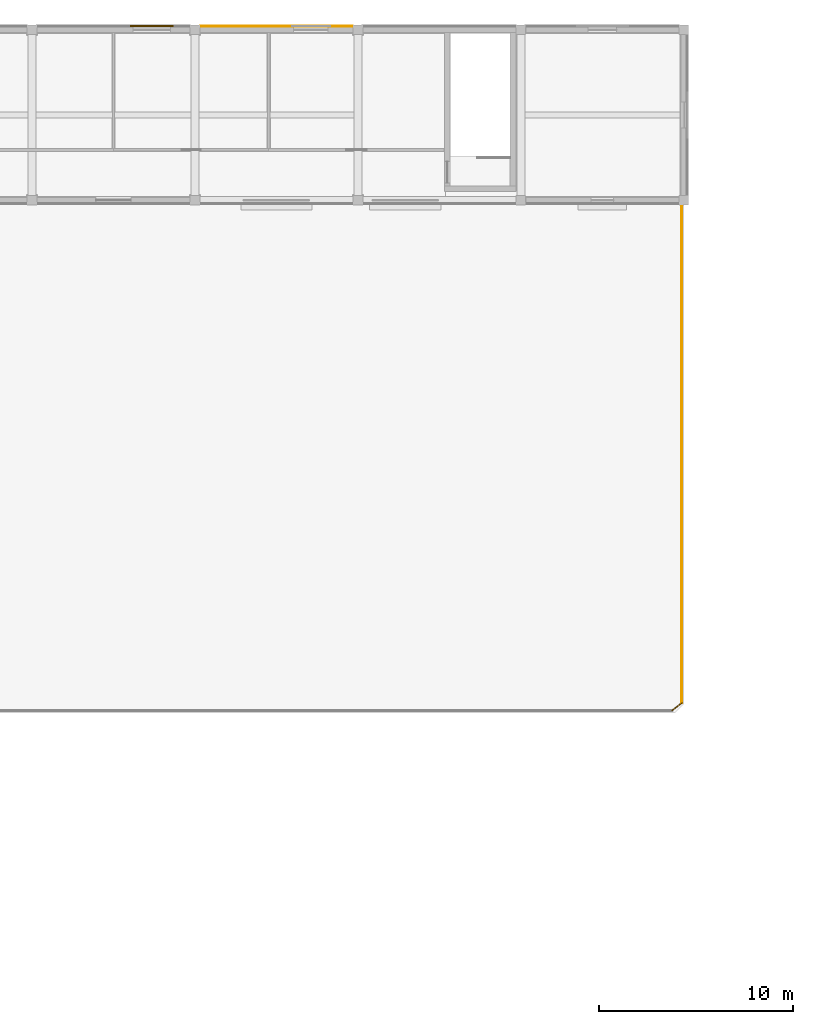
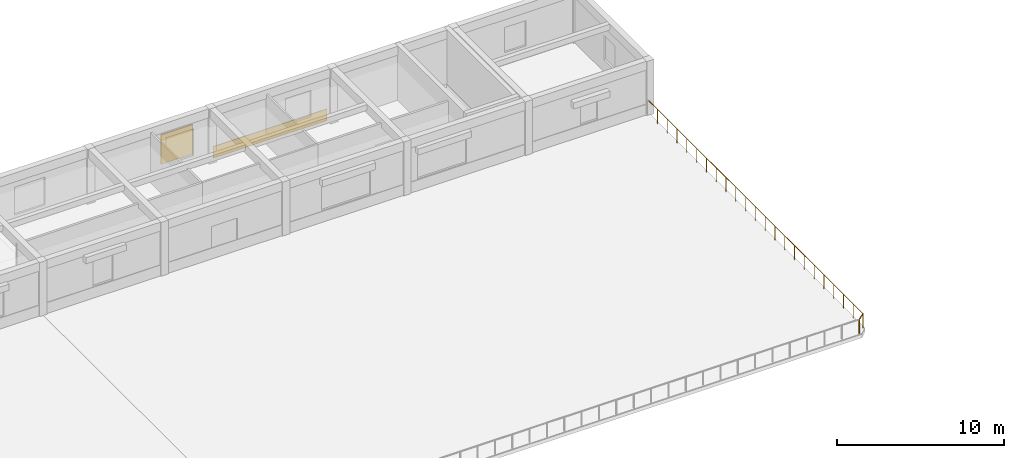
# One storey, part 45 of 49: 2 railings, 1 covering, 1 shading device.
"""IFC4 building model written with IfcOpenShell, lengths in metres."""

from ifc_helpers import new_model, si_unit, direction, frame, origin, origin_2d, place, context, subcontext, project, spatial, polyline, rectangle, circle, outline, extrude, material, layer, layer_set, type_object, element, save


model = new_model("IFC4")

# Units and contexts
model_context = context("Model", 3, precision=1e-05, world=origin(), true_north=direction((0.0, 1.0)))
body_context = subcontext(model_context, "Body", "Model", "MODEL_VIEW")
ifc_project = project(units=[si_unit("LENGTHUNIT", "METRE"), si_unit("AREAUNIT", "SQUARE_METRE"), si_unit("VOLUMEUNIT", "CUBIC_METRE"), si_unit("PLANEANGLEUNIT", "RADIAN"), si_unit("MASSUNIT", "GRAM", prefix="KILO")], contexts=[model_context])

# Site, building, storey
site_placement = place(None, origin())
site = spatial("IfcSite", under=ifc_project, at=site_placement, CompositionType="ELEMENT")
building_placement = place(site_placement, origin())
building = spatial("IfcBuilding", under=site, at=building_placement, Name="Kemercrest Conservatory and Botanical Centre", CompositionType="ELEMENT")
storey_placement = place(building_placement, frame((0.0, 0.0, 13.199951171875)))
storey = spatial("IfcBuildingStorey", under=building, at=storey_placement, Name="L03", CompositionType="ELEMENT", Elevation=13.199951171875)

# Covering
ifc_material_1 = material(Name="Honed limestone almasik ashlar rainscreen", Category="masonry")
ifc_layer = layer(ifc_material_1, 0.0400390625)
ifc_layer_set = layer_set([ifc_layer], Name="Honed limestone almasik ashlar rainscreen")
covering_type = type_object("IfcCoveringType", Name="CV-CLD040", PredefinedType="CLADDING", material=ifc_layer_set)
covering_placement = place(storey_placement, origin())
element("IfcCovering", 1, at=covering_placement, inside=storey, type_object=covering_type, Name="Exterior stone spandrel cladding (WAL:L03:EXT-150)", PredefinedType="CLADDING", context=body_context, shape_type="SweptSolid", body=[
    extrude(outline(polyline([(74.93994140625, 122.550048828125), (74.93994140625, 122.590087890625), (67.06005859375, 122.590087890625), (67.06005859375, 122.550048828125), (74.93994140625, 122.550048828125)])), origin(), (0.0, 0.0, 1.0), 0.85009765625),
])

# Railings
ifc_material_2 = material(Name="Architectural bronze-anodized steel balustrade", Category="steel")
railing_type = type_object("IfcRailingType", Name="GR-TER110", PredefinedType="GUARDRAIL", material=ifc_material_2)
railing_1_placement = place(storey_placement, frame((91.39990234375, 87.300048828125, 0.0)))
element("IfcRailing", 2, at=railing_1_placement, inside=storey, type_object=railing_type, Name="Safety guardrail GR-TER110 (V3-TER-4)", PredefinedType="GUARDRAIL", context=body_context, shape_type="SweptSolid", body=[
    extrude(circle(Radius=0.02392578125, at=origin_2d()), frame((0.0, 0.0, 1.076171875), z_axis=(0.780943207792, 0.624602038264, 0.0), x_axis=(-0.624602038264, 0.780943207792, 0.0)), (0.0, 0.0, 1.0), 0.64013671875),
    extrude(circle(Radius=0.02099609375, at=origin_2d()), origin(), (0.0, 0.0, 1.0), 1.052001953125),
    extrude(circle(Radius=0.02099609375, at=origin_2d()), frame((0.5, 0.39990234375, 0.0)), (0.0, 0.0, 1.0), 1.052001953125),
])
railing_2_placement = place(storey_placement, frame((91.89990234375, 87.699951171875, 0.0)))
element("IfcRailing", 3, at=railing_2_placement, inside=storey, type_object=railing_type, Name="Safety guardrail GR-TER110 (V3-TER-5)", PredefinedType="GUARDRAIL", context=body_context, shape_type="SweptSolid", body=[
    extrude(circle(Radius=0.02392578125, at=origin_2d()), frame((0.0, 0.0, 1.076171875), z_axis=(0.0, 1.0, 0.0), x_axis=(-1.0, 0.0, 0.0)), (0.0, 0.0, 1.0), 25.800048828125),
    extrude(circle(Radius=0.02099609375, at=origin_2d()), origin(), (0.0, 0.0, 1.0), 1.052001953125),
    extrude(circle(Radius=0.02099609375, at=origin_2d()), frame((0.0, 1.1728515625, 0.0)), (0.0, 0.0, 1.0), 1.052001953125),
    extrude(circle(Radius=0.02099609375, at=origin_2d()), frame((0.0, 2.345458984375, 0.0)), (0.0, 0.0, 1.0), 1.052001953125),
    extrude(circle(Radius=0.02099609375, at=origin_2d()), frame((0.0, 3.51806640625, 0.0)), (0.0, 0.0, 1.0), 1.052001953125),
    extrude(circle(Radius=0.02099609375, at=origin_2d()), frame((0.0, 4.69091796875, 0.0)), (0.0, 0.0, 1.0), 1.052001953125),
    extrude(circle(Radius=0.02099609375, at=origin_2d()), frame((0.0, 5.86376953125, 0.0)), (0.0, 0.0, 1.0), 1.052001953125),
    extrude(circle(Radius=0.02099609375, at=origin_2d()), frame((0.0, 7.036376953125, 0.0)), (0.0, 0.0, 1.0), 1.052001953125),
    extrude(circle(Radius=0.02099609375, at=origin_2d()), frame((0.0, 8.208984375, 0.0)), (0.0, 0.0, 1.0), 1.052001953125),
    extrude(circle(Radius=0.02099609375, at=origin_2d()), frame((0.0, 9.3818359375, 0.0)), (0.0, 0.0, 1.0), 1.052001953125),
    extrude(circle(Radius=0.02099609375, at=origin_2d()), frame((0.0, 10.5546875, 0.0)), (0.0, 0.0, 1.0), 1.052001953125),
    extrude(circle(Radius=0.02099609375, at=origin_2d()), frame((0.0, 11.727294921875, 0.0)), (0.0, 0.0, 1.0), 1.052001953125),
    extrude(circle(Radius=0.02099609375, at=origin_2d()), frame((0.0, 12.89990234375, 0.0)), (0.0, 0.0, 1.0), 1.052001953125),
    extrude(circle(Radius=0.02099609375, at=origin_2d()), frame((0.0, 14.07275390625, 0.0)), (0.0, 0.0, 1.0), 1.052001953125),
    extrude(circle(Radius=0.02099609375, at=origin_2d()), frame((0.0, 15.24560546875, 0.0)), (0.0, 0.0, 1.0), 1.052001953125),
    extrude(circle(Radius=0.02099609375, at=origin_2d()), frame((0.0, 16.418212890625, 0.0)), (0.0, 0.0, 1.0), 1.052001953125),
    extrude(circle(Radius=0.02099609375, at=origin_2d()), frame((0.0, 17.5908203125, 0.0)), (0.0, 0.0, 1.0), 1.052001953125),
    extrude(circle(Radius=0.02099609375, at=origin_2d()), frame((0.0, 18.763671875, 0.0)), (0.0, 0.0, 1.0), 1.052001953125),
    extrude(circle(Radius=0.02099609375, at=origin_2d()), frame((0.0, 19.9365234375, 0.0)), (0.0, 0.0, 1.0), 1.052001953125),
    extrude(circle(Radius=0.02099609375, at=origin_2d()), frame((0.0, 21.109130859375, 0.0)), (0.0, 0.0, 1.0), 1.052001953125),
    extrude(circle(Radius=0.02099609375, at=origin_2d()), frame((0.0, 22.28173828125, 0.0)), (0.0, 0.0, 1.0), 1.052001953125),
    extrude(circle(Radius=0.02099609375, at=origin_2d()), frame((0.0, 23.45458984375, 0.0)), (0.0, 0.0, 1.0), 1.052001953125),
    extrude(circle(Radius=0.02099609375, at=origin_2d()), frame((0.0, 24.62744140625, 0.0)), (0.0, 0.0, 1.0), 1.052001953125),
    extrude(circle(Radius=0.02099609375, at=origin_2d()), frame((0.0, 25.800048828125, 0.0)), (0.0, 0.0, 1.0), 1.052001953125),
])

# Shading device
ifc_material_3 = material(Name="Perforated bronze-anodized aluminium", Category="aluminium")
shading_device_type = type_object("IfcShadingDeviceType", Name="SH-MS02", PredefinedType="USERDEFINED", material=ifc_material_3)
shading_device_placement = place(storey_placement, frame((64.570068359375, 122.587890625, 0.8203125), z_axis=(0.0, 0.0, 1.0), x_axis=(-1.0, 0.0, 0.0)))
element("IfcShadingDevice", 4, at=shading_device_placement, inside=storey, type_object=shading_device_type, Name="Ottoman mashrabiya perforated screen SH-MS02 (WIN:L03:EXT-151)", ObjectType="MASHRABIYA SCREEN", PredefinedType="USERDEFINED", context=body_context, shape_type="SweptSolid", body=[
    extrude(rectangle(XDim=2.199951171875, YDim=0.080078125, at=origin_2d()), origin(), (0.0, 0.0, 1.0), 2.139892578125),
])

save(model, "model.ifc")
